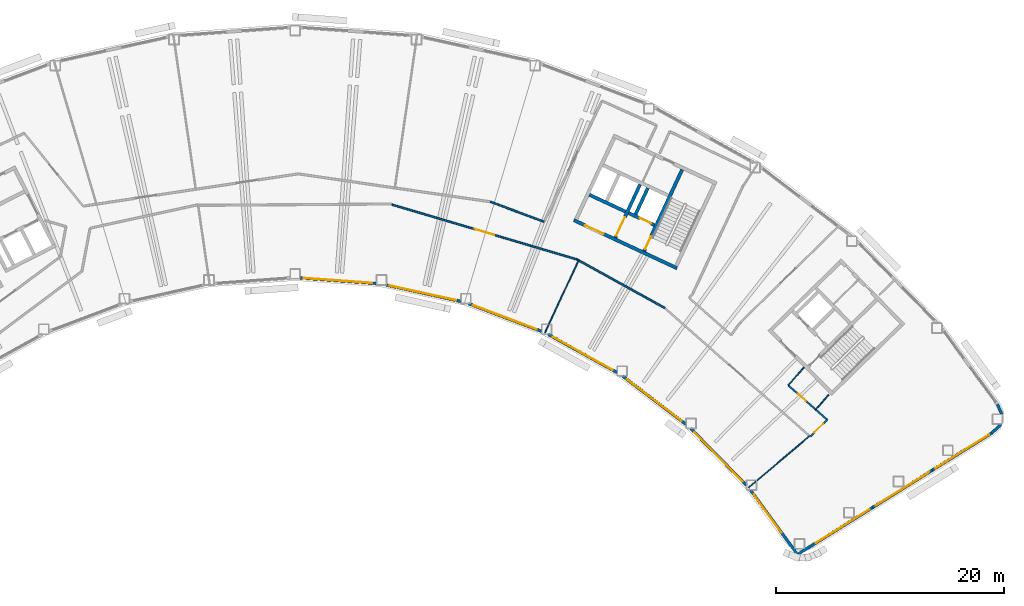
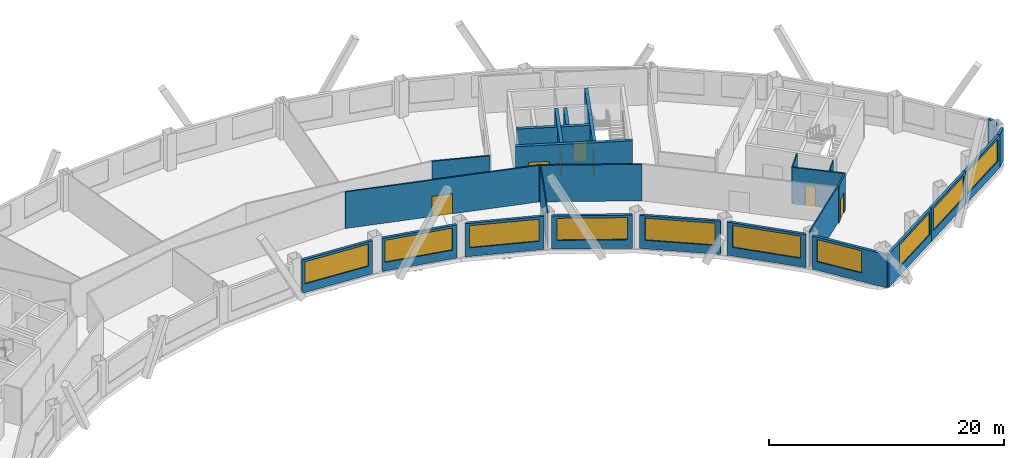
# One storey, part 7 of 12: 27 walls, 10 windows, 7 doors, 17 openings.
"""IFC4 building model written with IfcOpenShell, lengths in metres."""

from ifc_helpers import new_model, si_unit, direction, frame, frame_2d, origin, place, context, subcontext, project, spatial, rectangle, extrude, material, layer, layer_set, type_object, element, fill, save


model = new_model("IFC4")

# Units and contexts
model_context = context("Model", 3, precision=1e-05, world=origin(), true_north=direction((0.0, 1.0)))
body_context = subcontext(model_context, "Body", "Model", "MODEL_VIEW")
ifc_project = project(units=[si_unit("LENGTHUNIT", "METRE"), si_unit("AREAUNIT", "SQUARE_METRE"), si_unit("VOLUMEUNIT", "CUBIC_METRE"), si_unit("PLANEANGLEUNIT", "RADIAN"), si_unit("MASSUNIT", "GRAM", prefix="KILO")], contexts=[model_context])

# Site, building, storey
site_placement = place(None, origin())
site = spatial("IfcSite", under=ifc_project, at=site_placement, CompositionType="ELEMENT")
building_placement = place(site_placement, origin())
building = spatial("IfcBuilding", under=site, at=building_placement, Name="Tuul Gate Civic Tower", CompositionType="ELEMENT")
storey_placement = place(building_placement, frame((0.0, 0.0, 172.10009765625)))
storey = spatial("IfcBuildingStorey", under=building, at=storey_placement, Name="Level 39", CompositionType="ELEMENT", Elevation=172.10009765625)

# Wall, opening, door
ifc_material_1 = material(Name="Concrete C50/60", Category="concrete")
ifc_layer_1 = layer(ifc_material_1, 0.300048828125)
ifc_layer_set_1 = layer_set([ifc_layer_1], Name="Concrete C50/60")
wall_type_1 = type_object("IfcWallType", Name="Core wall C50/60", PredefinedType="SHEAR", material=ifc_layer_set_1)
wall_1_placement = place(storey_placement, frame((34.5283203125, -7.25, 0.0), z_axis=(0.0, 0.0, 1.0), x_axis=(-0.906310338845, 0.422612789327, 0.0)))
wall_1 = element("IfcWall", 1, at=wall_1_placement, inside=storey, type_object=wall_type_1, Name="Core wall", PredefinedType="SHEAR", context=body_context, shape_type="SweptSolid", body=[
    extrude(rectangle(XDim=9.999755859375, YDim=0.300048828125, at=frame_2d((5.0, 0.0))), origin(), (0.0, 0.0, 1.0), 3.7998046875),
])
opening_1_placement = place(wall_1_placement, frame((7.125, 0.0, 0.0)))
opening_1 = element("IfcOpeningElement", 2, at=opening_1_placement, cuts=wall_1, Name="Opening LB-E3-LOBBY-1", PredefinedType="OPENING", context=body_context, shape_type="SweptSolid", body=[
    extrude(rectangle(XDim=1.800048828125, YDim=2.10009765625, at=frame_2d((0.89990234375, 1.050048828125))), frame((0.0, 0.16015625, 0.0), z_axis=(0.0, -1.0, 0.0), x_axis=(1.0, 0.0, 0.0)), (0.0, 0.0, 1.0), 0.320068359375),
])
ifc_material_2 = material(Name="Steel", Category="steel")
door_type_1 = type_object("IfcDoorType", Name="Lobby door", OperationType="DOUBLE_DOOR_SINGLE_SWING", PredefinedType="DOOR", material=ifc_material_2)
door_1_placement = place(opening_1_placement, frame((1.800048828125, 0.0, 0.0), z_axis=(0.0, 0.0, 1.0), x_axis=(-1.0, 0.0, 0.0)))
door_1 = element("IfcDoor", 3, at=door_1_placement, inside=storey, type_object=door_type_1, Name="Lobby door E3-LOBBY", OperationType="DOUBLE_DOOR_SINGLE_SWING", OverallHeight=2.10009765625, OverallWidth=1.800048828125, PredefinedType="DOOR", context=body_context, shape_type="SweptSolid", body=[
    extrude(rectangle(XDim=1.800048828125, YDim=2.10009765625, at=frame_2d((0.900146484375, 1.050048828125))), frame((0.0, 0.02490234375, 0.0), z_axis=(0.0, -1.0, 0.0), x_axis=(1.0, 0.0, 0.0)), (0.0, 0.0, 1.0), 0.050048828125),
])
fill(opening_1, door_1)

wall_2_placement = place(storey_placement, frame((32.545654296875, -3.456787109375, 0.0), z_axis=(0.0, 0.0, 1.0), x_axis=(-0.906300357825, 0.42263419337, 0.0)))
wall_2 = element("IfcWall", 4, at=wall_2_placement, inside=storey, type_object=wall_type_1, Name="Core wall", PredefinedType="SHEAR", context=body_context, shape_type="SweptSolid", body=[
    extrude(rectangle(XDim=2.500244140625, YDim=0.300048828125, at=frame_2d((1.25, 0.0))), origin(), (0.0, 0.0, 1.0), 3.7998046875),
])
opening_2_placement = place(wall_2_placement, frame((0.324951171875, 0.0, 0.0)))
opening_2 = element("IfcOpeningElement", 5, at=opening_2_placement, cuts=wall_2, Name="Opening LD-FF-2", PredefinedType="OPENING", context=body_context, shape_type="SweptSolid", body=[
    extrude(rectangle(XDim=1.10009765625, YDim=2.10009765625, at=frame_2d((0.550048828125, 1.050048828125))), frame((0.0, 0.16015625, 0.0), z_axis=(0.0, -1.0, 0.0), x_axis=(1.0, 0.0, 0.0)), (0.0, 0.0, 1.0), 0.320068359375),
])
ifc_material_3 = material(Name="Stainless steel", Category="steel")
door_type_2 = type_object("IfcDoorType", Name="Landing door", OperationType="DOUBLE_DOOR_SLIDING", PredefinedType="DOOR", material=ifc_material_3)
door_2_placement = place(opening_2_placement, origin())
door_2 = element("IfcDoor", 6, at=door_2_placement, inside=storey, type_object=door_type_2, Name="Fire-fighting lift FF-2 landing door", OperationType="DOUBLE_DOOR_SLIDING", OverallHeight=2.10009765625, OverallWidth=1.10009765625, PredefinedType="DOOR", context=body_context, shape_type="SweptSolid", body=[
    extrude(rectangle(XDim=1.10009765625, YDim=2.10009765625, at=frame_2d((0.550048828125, 1.050048828125))), frame((0.0, 0.02490234375, 0.0), z_axis=(0.0, -1.0, 0.0), x_axis=(1.0, 0.0, 0.0)), (0.0, 0.0, 1.0), 0.050048828125),
])
fill(opening_2, door_2)

# Wall
wall_3_placement = place(storey_placement, frame((30.0078125, -2.2734375, 0.0), z_axis=(0.0, 0.0, 1.0), x_axis=(-0.90630071767, 0.422633421716, 0.0)))
element("IfcWall", 7, at=wall_3_placement, inside=storey, type_object=wall_type_1, Name="Core wall", PredefinedType="SHEAR", context=body_context, shape_type="SweptSolid", body=[
    extrude(rectangle(XDim=3.5, YDim=0.300048828125, at=frame_2d((1.75, 0.0))), origin(), (0.0, 0.0, 1.0), 3.7998046875),
])

# Wall, opening, door
wall_4_placement = place(storey_placement, frame((31.646240234375, -5.740478515625, 0.0), z_axis=(0.0, 0.0, 1.0), x_axis=(0.422582604137, 0.906324413596, 0.0)))
wall_4 = element("IfcWall", 8, at=wall_4_placement, inside=storey, type_object=wall_type_1, Name="Core wall", PredefinedType="SHEAR", context=body_context, shape_type="SweptSolid", body=[
    extrude(rectangle(XDim=7.89990234375, YDim=0.300048828125, at=frame_2d((3.949951171875, 0.0))), origin(), (0.0, 0.0, 1.0), 3.7998046875),
])
opening_3_placement = place(wall_4_placement, frame((0.199951171875, 0.0, 0.0)))
opening_3 = element("IfcOpeningElement", 9, at=opening_3_placement, cuts=wall_4, Name="Opening SD-ST-4", PredefinedType="OPENING", context=body_context, shape_type="SweptSolid", body=[
    extrude(rectangle(XDim=1.199951171875, YDim=2.10009765625, at=frame_2d((0.60009765625, 1.050048828125))), frame((0.0, 0.16015625, 0.0), z_axis=(0.0, -1.0, 0.0), x_axis=(1.0, 0.0, 0.0)), (0.0, 0.0, 1.0), 0.320068359375),
])
ifc_material_4 = material(Name="Steel", Category="steel")
door_type_3 = type_object("IfcDoorType", Name="Stair door", OperationType="NOTDEFINED", PredefinedType="DOOR", material=ifc_material_4)
door_3_placement = place(opening_3_placement, origin())
door_3 = element("IfcDoor", 10, at=door_3_placement, inside=storey, type_object=door_type_3, Name="Stair door ST-4", OperationType="SINGLE_SWING_LEFT", OverallHeight=2.10009765625, OverallWidth=1.199951171875, PredefinedType="DOOR", context=body_context, shape_type="SweptSolid", body=[
    extrude(rectangle(XDim=1.199951171875, YDim=2.10009765625, at=frame_2d((0.60009765625, 1.050048828125))), frame((0.0, 0.02490234375, 0.0), z_axis=(0.0, -1.0, 0.0), x_axis=(1.0, 0.0, 0.0)), (0.0, 0.0, 1.0), 0.050048828125),
])
fill(opening_3, door_3)

# Wall
wall_5_placement = place(storey_placement, frame((30.886962890625, -2.517822265625, 0.0), z_axis=(0.0, 0.0, 1.0), x_axis=(0.422612891016, 0.906310291427, 0.0)))
element("IfcWall", 11, at=wall_5_placement, inside=storey, type_object=wall_type_1, Name="Core wall", PredefinedType="SHEAR", context=body_context, shape_type="SweptSolid", body=[
    extrude(rectangle(XDim=2.550048828125, YDim=0.300048828125, at=frame_2d((1.27490234375, 0.0))), origin(), (0.0, 0.0, 1.0), 3.7998046875),
])

# Wall, opening, door
wall_6_placement = place(storey_placement, frame((29.108642578125, -4.557373046875, 0.0), z_axis=(0.0, 0.0, 1.0), x_axis=(0.422566235356, 0.90633204552, 0.0)))
wall_6 = element("IfcWall", 12, at=wall_6_placement, inside=storey, type_object=wall_type_1, Name="Core wall", PredefinedType="SHEAR", context=body_context, shape_type="SweptSolid", body=[
    extrude(rectangle(XDim=5.150146484375, YDim=0.300048828125, at=frame_2d((2.5751953125, 0.0))), origin(), (0.0, 0.0, 1.0), 3.7998046875),
])
opening_4_placement = place(wall_6_placement, frame((0.175048828125, 0.0, 0.0)))
opening_4 = element("IfcOpeningElement", 13, at=opening_4_placement, cuts=wall_6, Name="Opening LB-E3-FLOBBY-1", PredefinedType="OPENING", context=body_context, shape_type="SweptSolid", body=[
    extrude(rectangle(XDim=1.800048828125, YDim=2.10009765625, at=frame_2d((0.89990234375, 1.050048828125))), frame((0.0, 0.16015625, 0.0), z_axis=(0.0, -1.0, 0.0), x_axis=(1.0, 0.0, 0.0)), (0.0, 0.0, 1.0), 0.320068359375),
])
door_4_placement = place(opening_4_placement, frame((1.800048828125, 0.0, 0.0), z_axis=(0.0, 0.0, 1.0), x_axis=(-1.0, 0.0, 0.0)))
door_4 = element("IfcDoor", 14, at=door_4_placement, inside=storey, type_object=door_type_1, Name="Lobby door E3-FLOBBY", OperationType="DOUBLE_DOOR_SINGLE_SWING", OverallHeight=2.10009765625, OverallWidth=1.800048828125, PredefinedType="DOOR", context=body_context, shape_type="SweptSolid", body=[
    extrude(rectangle(XDim=1.800048828125, YDim=2.10009765625, at=frame_2d((0.900146484375, 1.050048828125))), frame((0.0, 0.02490234375, 0.0), z_axis=(0.0, -1.0, 0.0), x_axis=(1.0, 0.0, 0.0)), (0.0, 0.0, 1.0), 0.050048828125),
])
fill(opening_4, door_4)

ifc_material_5 = material(Name="Gypsum board partition")
ifc_layer_2 = layer(ifc_material_5, 0.14990234375)
ifc_layer_set_2 = layer_set([ifc_layer_2], Name="Gypsum board partition")
wall_type_2 = type_object("IfcWallType", Name="Corridor wall P150", PredefinedType="PARTITIONING", material=ifc_layer_set_2)
wall_7_placement = place(storey_placement, frame((44.294677734375, -17.5341796875, 0.0), z_axis=(0.0, 0.0, 1.0), x_axis=(0.749764693368, -0.661704544777, 0.0)))
wall_7 = element("IfcWall", 15, at=wall_7_placement, inside=storey, type_object=wall_type_2, Name="p002", PredefinedType="PARTITIONING", context=body_context, shape_type="SweptSolid", body=[
    extrude(rectangle(XDim=4.577392578125, YDim=0.14990234375, at=frame_2d((2.28857421875, 0.0))), origin(), (0.0, 0.0, 1.0), 3.7998046875),
])
opening_5_placement = place(wall_7_placement, frame((1.159912109375, 0.0, 0.0)))
opening_5 = element("IfcOpeningElement", 16, at=opening_5_placement, cuts=wall_7, Name="Opening N-D01", PredefinedType="OPENING", context=body_context, shape_type="SweptSolid", body=[
    extrude(rectangle(XDim=0.89990234375, YDim=2.10009765625, at=frame_2d((0.449951171875, 1.050048828125))), frame((0.0, 0.0849609375, 0.0), z_axis=(0.0, -1.0, 0.0), x_axis=(1.0, 0.0, 0.0)), (0.0, 0.0, 1.0), 0.169921875),
])
ifc_material_6 = material(Name="Timber door leaf", Category="wood")
door_type_4 = type_object("IfcDoorType", Name="Door D09", OperationType="NOTDEFINED", PredefinedType="DOOR", material=ifc_material_6)
door_5_placement = place(opening_5_placement, origin())
door_5 = element("IfcDoor", 17, at=door_5_placement, inside=storey, type_object=door_type_4, Name="Door N-D01", OperationType="SINGLE_SWING_RIGHT", OverallHeight=2.10009765625, OverallWidth=0.89990234375, PredefinedType="DOOR", context=body_context, shape_type="SweptSolid", body=[
    extrude(rectangle(XDim=0.89990234375, YDim=2.10009765625, at=frame_2d((0.449951171875, 1.050048828125))), frame((0.0, 0.02490234375, 0.0), z_axis=(0.0, -1.0, 0.0), x_axis=(1.0, 0.0, 0.0)), (0.0, 0.0, 1.0), 0.050048828125),
])
fill(opening_5, door_5)

# Walls
wall_8_placement = place(storey_placement, frame((18.13916015625, -1.413818359375, 0.0), z_axis=(0.0, 0.0, 1.0), x_axis=(0.937349016242, -0.348391764758, 0.0)))
element("IfcWall", 18, at=wall_8_placement, inside=storey, type_object=wall_type_2, Name="p015", PredefinedType="PARTITIONING", context=body_context, shape_type="SweptSolid", body=[
    extrude(rectangle(XDim=5.017578125, YDim=0.14990234375, at=frame_2d((2.5087890625, 0.0))), origin(), (0.0, 0.0, 1.0), 3.7998046875),
])
wall_9_placement = place(storey_placement, frame((25.76953125, -6.490234375, 0.0), z_axis=(0.0, 0.0, 1.0), x_axis=(0.874950264621, -0.484212798715, 0.0)))
element("IfcWall", 19, at=wall_9_placement, inside=storey, type_object=wall_type_2, Name="p039", PredefinedType="PARTITIONING", context=body_context, shape_type="SweptSolid", body=[
    extrude(rectangle(XDim=8.773193359375, YDim=0.14990234375, at=frame_2d((4.38671875, 0.0))), origin(), (0.0, 0.0, 1.0), 3.7998046875),
])

# Wall, opening, door
wall_10_placement = place(storey_placement, frame((9.481689453125, -1.662841796875, 0.0), z_axis=(0.0, 0.0, 1.0), x_axis=(0.958772302271, -0.284175425393, 0.0)))
wall_10 = element("IfcWall", 20, at=wall_10_placement, inside=storey, type_object=wall_type_2, Name="p042", PredefinedType="PARTITIONING", context=body_context, shape_type="SweptSolid", body=[
    extrude(rectangle(XDim=16.98828125, YDim=0.14990234375, at=frame_2d((8.494140625, 0.0))), origin(), (0.0, 0.0, 1.0), 3.7998046875),
])
opening_6_placement = place(wall_10_placement, frame((7.593994140625, 0.0, 0.0)))
opening_6 = element("IfcOpeningElement", 21, at=opening_6_placement, cuts=wall_10, Name="Opening N-D09", PredefinedType="OPENING", context=body_context, shape_type="SweptSolid", body=[
    extrude(rectangle(XDim=1.800048828125, YDim=2.10009765625, at=frame_2d((0.89990234375, 1.050048828125))), frame((0.0, 0.0849609375, 0.0), z_axis=(0.0, -1.0, 0.0), x_axis=(1.0, 0.0, 0.0)), (0.0, 0.0, 1.0), 0.169921875),
])
ifc_material_7 = material(Name="Timber door leaf, double", Category="wood")
door_type_5 = type_object("IfcDoorType", Name="Door D18", OperationType="DOUBLE_DOOR_SINGLE_SWING", PredefinedType="DOOR", material=ifc_material_7)
door_6_placement = place(opening_6_placement, frame((1.800048828125, 0.0, 0.0), z_axis=(0.0, 0.0, 1.0), x_axis=(-1.0, 0.0, 0.0)))
door_6 = element("IfcDoor", 22, at=door_6_placement, inside=storey, type_object=door_type_5, Name="Door N-D09", OperationType="DOUBLE_DOOR_SINGLE_SWING", OverallHeight=2.10009765625, OverallWidth=1.800048828125, PredefinedType="DOOR", context=body_context, shape_type="SweptSolid", body=[
    extrude(rectangle(XDim=1.800048828125, YDim=2.10009765625, at=frame_2d((0.900146484375, 1.050048828125))), frame((0.0, 0.02490234375, 0.0), z_axis=(0.0, -1.0, 0.0), x_axis=(1.0, 0.0, 0.0)), (0.0, 0.0, 1.0), 0.050048828125),
])
fill(opening_6, door_6)

wall_11_placement = place(storey_placement, frame((46.23193359375, -22.038330078125, 0.0), z_axis=(0.0, 0.0, 1.0), x_axis=(0.711683754501, 0.702499988313, 0.0)))
wall_11 = element("IfcWall", 23, at=wall_11_placement, inside=storey, type_object=wall_type_2, Name="p052", PredefinedType="PARTITIONING", context=body_context, shape_type="SweptSolid", body=[
    extrude(rectangle(XDim=2.10009765625, YDim=0.14990234375, at=frame_2d((1.050048828125, 0.0))), origin(), (0.0, 0.0, 1.0), 3.7998046875),
])
opening_7_placement = place(wall_11_placement, frame((0.5, 0.0, 0.0)))
opening_7 = element("IfcOpeningElement", 24, at=opening_7_placement, cuts=wall_11, Name="Opening N-D12", PredefinedType="OPENING", context=body_context, shape_type="SweptSolid", body=[
    extrude(rectangle(XDim=1.10009765625, YDim=2.10009765625, at=frame_2d((0.550048828125, 1.050048828125))), frame((0.0, 0.0849609375, 0.0), z_axis=(0.0, -1.0, 0.0), x_axis=(1.0, 0.0, 0.0)), (0.0, 0.0, 1.0), 0.169921875),
])
ifc_material_8 = material(Name="Timber door leaf", Category="wood")
door_type_6 = type_object("IfcDoorType", Name="Door D11", OperationType="NOTDEFINED", PredefinedType="DOOR", material=ifc_material_8)
door_7_placement = place(opening_7_placement, frame((1.10009765625, 0.0, 0.0), z_axis=(0.0, 0.0, 1.0), x_axis=(-1.0, 0.0, 0.0)))
door_7 = element("IfcDoor", 25, at=door_7_placement, inside=storey, type_object=door_type_6, Name="Door N-D12", OperationType="SINGLE_SWING_LEFT", OverallHeight=2.10009765625, OverallWidth=1.10009765625, PredefinedType="DOOR", context=body_context, shape_type="SweptSolid", body=[
    extrude(rectangle(XDim=1.10009765625, YDim=2.10009765625, at=frame_2d((0.550048828125, 1.050048828125))), frame((0.0, 0.02490234375, 0.0), z_axis=(0.0, -1.0, 0.0), x_axis=(1.0, 0.0, 0.0)), (0.0, 0.0, 1.0), 0.050048828125),
])
fill(opening_7, door_7)

# Walls
ifc_material_9 = material(Name="Precast concrete C40/50", Category="concrete")
ifc_layer_3 = layer(ifc_material_9, 0.25)
ifc_layer_set_3 = layer_set([ifc_layer_3], Name="Precast concrete C40/50")
wall_type_3 = type_object("IfcWallType", Name="External wall", PredefinedType="STANDARD", material=ifc_layer_set_3)
wall_12_placement = place(storey_placement, frame((62.180419921875, -21.725830078125, 0.0), z_axis=(0.0, 0.0, 1.0), x_axis=(0.722107994372, 0.691780344087, 0.0)))
element("IfcWall", 26, at=wall_12_placement, inside=storey, type_object=wall_type_3, Name="External wall", PredefinedType="STANDARD", context=body_context, shape_type="SweptSolid", body=[
    extrude(rectangle(XDim=1.102783203125, YDim=0.25, at=frame_2d((0.55126953125, 0.0))), origin(), (0.0, 0.0, 1.0), 3.449951171875),
])
wall_13_placement = place(storey_placement, frame((63.0546875, -20.06298828125, 0.0), z_axis=(0.0, 0.0, 1.0), x_axis=(-0.413528765966, 0.910491054167, 0.0)))
element("IfcWall", 27, at=wall_13_placement, inside=storey, type_object=wall_type_3, Name="External wall", PredefinedType="STANDARD", context=body_context, shape_type="SweptSolid", body=[
    extrude(rectangle(XDim=0.939208984375, YDim=0.25, at=frame_2d((0.4697265625, 0.0))), origin(), (0.0, 0.0, 1.0), 3.449951171875),
])

# Wall, opening, window
wall_14_placement = place(storey_placement, frame((1.43994140625, -8.098388671875, 0.0), z_axis=(0.0, 0.0, 1.0), x_axis=(0.99738574908, -0.072261106633, 0.0)))
wall_14 = element("IfcWall", 28, at=wall_14_placement, inside=storey, type_object=wall_type_3, Name="External wall", PredefinedType="STANDARD", context=body_context, shape_type="SweptSolid", body=[
    extrude(rectangle(XDim=6.689697265625, YDim=0.25, at=frame_2d((3.3447265625, 0.0))), origin(), (0.0, 0.0, 1.0), 3.449951171875),
])
opening_8_placement = place(wall_14_placement, frame((0.3212890625, 0.0, 0.89990234375)))
opening_8 = element("IfcOpeningElement", 29, at=opening_8_placement, cuts=wall_14, Name="Opening W26", PredefinedType="OPENING", context=body_context, shape_type="SweptSolid", body=[
    extrude(rectangle(XDim=6.0, YDim=2.300048828125, at=frame_2d((3.0, 1.14990234375))), frame((0.0, 0.135009765625, 0.0), z_axis=(0.0, -1.0, 0.0), x_axis=(1.0, 0.0, 0.0)), (0.0, 0.0, 1.0), 0.27001953125),
])
ifc_material_10 = material(Name="Glass", Category="glass")
window_type_1 = type_object("IfcWindowType", Name="Window W26 6000 x 2300", PartitioningType="SINGLE_PANEL", PredefinedType="WINDOW", material=ifc_material_10)
window_1_placement = place(opening_8_placement, origin())
window_1 = element("IfcWindow", 30, at=window_1_placement, inside=storey, type_object=window_type_1, Name="Window", OverallHeight=2.300048828125, OverallWidth=6.0, PartitioningType="SINGLE_PANEL", PredefinedType="WINDOW", context=body_context, shape_type="SweptSolid", body=[
    extrude(rectangle(XDim=6.0, YDim=2.300048828125, at=frame_2d((3.0, 1.14990234375))), frame((0.0, 0.030029296875, 0.0), z_axis=(0.0, -1.0, 0.0), x_axis=(1.0, 0.0, 0.0)), (0.0, 0.0, 1.0), 0.06005859375),
])
fill(opening_8, window_1)

wall_15_placement = place(storey_placement, frame((9.011962890625, -8.720458984375, 0.0), z_axis=(0.0, 0.0, 1.0), x_axis=(0.976558520258, -0.21525207667, 0.0)))
wall_15 = element("IfcWall", 31, at=wall_15_placement, inside=storey, type_object=wall_type_3, Name="External wall", PredefinedType="STANDARD", context=body_context, shape_type="SweptSolid", body=[
    extrude(rectangle(XDim=6.670166015625, YDim=0.25, at=frame_2d((3.3349609375, 0.0))), origin(), (0.0, 0.0, 1.0), 3.449951171875),
])
opening_9_placement = place(wall_15_placement, frame((0.263427734375, 0.0, 0.89990234375)))
opening_9 = element("IfcOpeningElement", 32, at=opening_9_placement, cuts=wall_15, Name="Opening W26", PredefinedType="OPENING", context=body_context, shape_type="SweptSolid", body=[
    extrude(rectangle(XDim=6.0, YDim=2.300048828125, at=frame_2d((3.0, 1.14990234375))), frame((0.0, 0.135009765625, 0.0), z_axis=(0.0, -1.0, 0.0), x_axis=(1.0, 0.0, 0.0)), (0.0, 0.0, 1.0), 0.27001953125),
])
window_2_placement = place(opening_9_placement, origin())
window_2 = element("IfcWindow", 33, at=window_2_placement, inside=storey, type_object=window_type_1, Name="Window", OverallHeight=2.300048828125, OverallWidth=6.0, PartitioningType="SINGLE_PANEL", PredefinedType="WINDOW", context=body_context, shape_type="SweptSolid", body=[
    extrude(rectangle(XDim=6.0, YDim=2.300048828125, at=frame_2d((3.0, 1.14990234375))), frame((0.0, 0.030029296875, 0.0), z_axis=(0.0, -1.0, 0.0), x_axis=(1.0, 0.0, 0.0)), (0.0, 0.0, 1.0), 0.06005859375),
])
fill(opening_9, window_2)

wall_16_placement = place(storey_placement, frame((16.248046875, -10.373046875, 0.0), z_axis=(0.0, 0.0, 1.0), x_axis=(0.935360534404, -0.353695731779, 0.0)))
wall_16 = element("IfcWall", 34, at=wall_16_placement, inside=storey, type_object=wall_type_3, Name="External wall", PredefinedType="STANDARD", context=body_context, shape_type="SweptSolid", body=[
    extrude(rectangle(XDim=6.81982421875, YDim=0.25, at=frame_2d((3.409912109375, 0.0))), origin(), (0.0, 0.0, 1.0), 3.449951171875),
])
opening_10_placement = place(wall_16_placement, frame((0.3818359375, 0.0, 0.89990234375)))
opening_10 = element("IfcOpeningElement", 35, at=opening_10_placement, cuts=wall_16, Name="Opening W26", PredefinedType="OPENING", context=body_context, shape_type="SweptSolid", body=[
    extrude(rectangle(XDim=6.0, YDim=2.300048828125, at=frame_2d((3.0, 1.14990234375))), frame((0.0, 0.135009765625, 0.0), z_axis=(0.0, -1.0, 0.0), x_axis=(1.0, 0.0, 0.0)), (0.0, 0.0, 1.0), 0.27001953125),
])
window_3_placement = place(opening_10_placement, origin())
window_3 = element("IfcWindow", 36, at=window_3_placement, inside=storey, type_object=window_type_1, Name="Window", OverallHeight=2.300048828125, OverallWidth=6.0, PartitioningType="SINGLE_PANEL", PredefinedType="WINDOW", context=body_context, shape_type="SweptSolid", body=[
    extrude(rectangle(XDim=6.0, YDim=2.300048828125, at=frame_2d((3.0, 1.14990234375))), frame((0.0, 0.030029296875, 0.0), z_axis=(0.0, -1.0, 0.0), x_axis=(1.0, 0.0, 0.0)), (0.0, 0.0, 1.0), 0.06005859375),
])
fill(opening_10, window_3)

wall_17_placement = place(storey_placement, frame((23.21875, -13.05810546875, 0.0), z_axis=(0.0, 0.0, 1.0), x_axis=(0.874638200543, -0.484776255763, 0.0)))
wall_17 = element("IfcWall", 37, at=wall_17_placement, inside=storey, type_object=wall_type_3, Name="External wall", PredefinedType="STANDARD", context=body_context, shape_type="SweptSolid", body=[
    extrude(rectangle(XDim=6.9140625, YDim=0.25, at=frame_2d((3.45703125, 0.0))), origin(), (0.0, 0.0, 1.0), 3.449951171875),
])
opening_11_placement = place(wall_17_placement, frame((0.453369140625, 0.0, 0.89990234375)))
opening_11 = element("IfcOpeningElement", 38, at=opening_11_placement, cuts=wall_17, Name="Opening W26", PredefinedType="OPENING", context=body_context, shape_type="SweptSolid", body=[
    extrude(rectangle(XDim=6.0, YDim=2.300048828125, at=frame_2d((3.0, 1.14990234375))), frame((0.0, 0.135009765625, 0.0), z_axis=(0.0, -1.0, 0.0), x_axis=(1.0, 0.0, 0.0)), (0.0, 0.0, 1.0), 0.27001953125),
])
window_4_placement = place(opening_11_placement, origin())
window_4 = element("IfcWindow", 39, at=window_4_placement, inside=storey, type_object=window_type_1, Name="Window", OverallHeight=2.300048828125, OverallWidth=6.0, PartitioningType="SINGLE_PANEL", PredefinedType="WINDOW", context=body_context, shape_type="SweptSolid", body=[
    extrude(rectangle(XDim=6.0, YDim=2.300048828125, at=frame_2d((3.0, 1.14990234375))), frame((0.0, 0.030029296875, 0.0), z_axis=(0.0, -1.0, 0.0), x_axis=(1.0, 0.0, 0.0)), (0.0, 0.0, 1.0), 0.06005859375),
])
fill(opening_11, window_4)

wall_18_placement = place(storey_placement, frame((29.770751953125, -16.738037109375, 0.0), z_axis=(0.0, 0.0, 1.0), x_axis=(0.795583108554, -0.605844466331, 0.0)))
wall_18 = element("IfcWall", 40, at=wall_18_placement, inside=storey, type_object=wall_type_3, Name="External wall", PredefinedType="STANDARD", context=body_context, shape_type="SweptSolid", body=[
    extrude(rectangle(XDim=6.95849609375, YDim=0.25, at=frame_2d((3.479248046875, 0.0))), origin(), (0.0, 0.0, 1.0), 3.449951171875),
])
opening_12_placement = place(wall_18_placement, frame((0.480224609375, 0.0, 0.89990234375)))
opening_12 = element("IfcOpeningElement", 41, at=opening_12_placement, cuts=wall_18, Name="Opening W26", PredefinedType="OPENING", context=body_context, shape_type="SweptSolid", body=[
    extrude(rectangle(XDim=6.0, YDim=2.300048828125, at=frame_2d((3.0, 1.14990234375))), frame((0.0, 0.135009765625, 0.0), z_axis=(0.0, -1.0, 0.0), x_axis=(1.0, 0.0, 0.0)), (0.0, 0.0, 1.0), 0.27001953125),
])
window_5_placement = place(opening_12_placement, origin())
window_5 = element("IfcWindow", 42, at=window_5_placement, inside=storey, type_object=window_type_1, Name="Window", OverallHeight=2.300048828125, OverallWidth=6.0, PartitioningType="SINGLE_PANEL", PredefinedType="WINDOW", context=body_context, shape_type="SweptSolid", body=[
    extrude(rectangle(XDim=6.0, YDim=2.300048828125, at=frame_2d((3.0, 1.14990234375))), frame((0.0, 0.030029296875, 0.0), z_axis=(0.0, -1.0, 0.0), x_axis=(1.0, 0.0, 0.0)), (0.0, 0.0, 1.0), 0.06005859375),
])
fill(opening_12, window_5)

wall_19_placement = place(storey_placement, frame((35.741943359375, -21.3369140625, 0.0), z_axis=(0.0, 0.0, 1.0), x_axis=(0.700101181113, -0.71404365147, 0.0)))
wall_19 = element("IfcWall", 43, at=wall_19_placement, inside=storey, type_object=wall_type_3, Name="External wall", PredefinedType="STANDARD", context=body_context, shape_type="SweptSolid", body=[
    extrude(rectangle(XDim=6.96923828125, YDim=0.25, at=frame_2d((3.484619140625, 0.0))), origin(), (0.0, 0.0, 1.0), 3.449951171875),
])
opening_13_placement = place(wall_19_placement, frame((0.485107421875, 0.0, 0.89990234375)))
opening_13 = element("IfcOpeningElement", 44, at=opening_13_placement, cuts=wall_19, Name="Opening W26", PredefinedType="OPENING", context=body_context, shape_type="SweptSolid", body=[
    extrude(rectangle(XDim=6.0, YDim=2.300048828125, at=frame_2d((3.0, 1.14990234375))), frame((0.0, 0.135009765625, 0.0), z_axis=(0.0, -1.0, 0.0), x_axis=(1.0, 0.0, 0.0)), (0.0, 0.0, 1.0), 0.27001953125),
])
window_6_placement = place(opening_13_placement, origin())
window_6 = element("IfcWindow", 45, at=window_6_placement, inside=storey, type_object=window_type_1, Name="Window", OverallHeight=2.300048828125, OverallWidth=6.0, PartitioningType="SINGLE_PANEL", PredefinedType="WINDOW", context=body_context, shape_type="SweptSolid", body=[
    extrude(rectangle(XDim=6.0, YDim=2.300048828125, at=frame_2d((3.0, 1.14990234375))), frame((0.0, 0.030029296875, 0.0), z_axis=(0.0, -1.0, 0.0), x_axis=(1.0, 0.0, 0.0)), (0.0, 0.0, 1.0), 0.06005859375),
])
fill(opening_13, window_6)

wall_20_placement = place(storey_placement, frame((40.997802734375, -26.759033203125, 0.0), z_axis=(0.0, 0.0, 1.0), x_axis=(0.589748783254, -0.807586758591, 0.0)))
wall_20 = element("IfcWall", 46, at=wall_20_placement, inside=storey, type_object=wall_type_3, Name="External wall", PredefinedType="STANDARD", context=body_context, shape_type="SweptSolid", body=[
    extrude(rectangle(XDim=6.97216796875, YDim=0.25, at=frame_2d((3.486083984375, 0.0))), origin(), (0.0, 0.0, 1.0), 3.449951171875),
])
opening_14_placement = place(wall_20_placement, frame((0.46435546875, 0.0, 0.89990234375)))
opening_14 = element("IfcOpeningElement", 47, at=opening_14_placement, cuts=wall_20, Name="Opening W25", PredefinedType="OPENING", context=body_context, shape_type="SweptSolid", body=[
    extrude(rectangle(XDim=4.14990234375, YDim=2.300048828125, at=frame_2d((2.074951171875, 1.14990234375))), frame((0.0, 0.135009765625, 0.0), z_axis=(0.0, -1.0, 0.0), x_axis=(1.0, 0.0, 0.0)), (0.0, 0.0, 1.0), 0.27001953125),
])
ifc_material_11 = material(Name="Glass", Category="glass")
window_type_2 = type_object("IfcWindowType", Name="Window W25 4150 x 2300", PartitioningType="SINGLE_PANEL", PredefinedType="WINDOW", material=ifc_material_11)
window_7_placement = place(opening_14_placement, origin())
window_7 = element("IfcWindow", 48, at=window_7_placement, inside=storey, type_object=window_type_2, Name="Window", OverallHeight=2.300048828125, OverallWidth=4.14990234375, PartitioningType="SINGLE_PANEL", PredefinedType="WINDOW", context=body_context, shape_type="SweptSolid", body=[
    extrude(rectangle(XDim=4.14990234375, YDim=2.300048828125, at=frame_2d((2.074951171875, 1.14990234375))), frame((0.0, 0.030029296875, 0.0), z_axis=(0.0, -1.0, 0.0), x_axis=(1.0, 0.0, 0.0)), (0.0, 0.0, 1.0), 0.06005859375),
])
fill(opening_14, window_7)

wall_21_placement = place(storey_placement, frame((45.109619140625, -32.3896484375, 0.0), z_axis=(0.0, 0.0, 1.0), x_axis=(0.848047613046, 0.52992003737, 0.0)))
wall_21 = element("IfcWall", 49, at=wall_21_placement, inside=storey, type_object=wall_type_3, Name="External wall", PredefinedType="STANDARD", context=body_context, shape_type="SweptSolid", body=[
    extrude(rectangle(XDim=7.787841796875, YDim=0.25, at=frame_2d((3.89404296875, 0.0))), origin(), (0.0, 0.0, 1.0), 3.449951171875),
])
opening_15_placement = place(wall_21_placement, frame((1.92138671875, 0.0, 0.89990234375)))
opening_15 = element("IfcOpeningElement", 50, at=opening_15_placement, cuts=wall_21, Name="Opening W24", PredefinedType="OPENING", context=body_context, shape_type="SweptSolid", body=[
    extrude(rectangle(XDim=5.550048828125, YDim=2.300048828125, at=frame_2d((2.77490234375, 1.14990234375))), frame((0.0, 0.135009765625, 0.0), z_axis=(0.0, -1.0, 0.0), x_axis=(1.0, 0.0, 0.0)), (0.0, 0.0, 1.0), 0.27001953125),
])
ifc_material_12 = material(Name="Glass", Category="glass")
window_type_3 = type_object("IfcWindowType", Name="Window W24 5550 x 2300", PartitioningType="SINGLE_PANEL", PredefinedType="WINDOW", material=ifc_material_12)
window_8_placement = place(opening_15_placement, origin())
window_8 = element("IfcWindow", 51, at=window_8_placement, inside=storey, type_object=window_type_3, Name="Window", OverallHeight=2.300048828125, OverallWidth=5.550048828125, PartitioningType="SINGLE_PANEL", PredefinedType="WINDOW", context=body_context, shape_type="SweptSolid", body=[
    extrude(rectangle(XDim=5.550048828125, YDim=2.300048828125, at=frame_2d((2.77490234375, 1.14990234375))), frame((0.0, 0.030029296875, 0.0), z_axis=(0.0, -1.0, 0.0), x_axis=(1.0, 0.0, 0.0)), (0.0, 0.0, 1.0), 0.06005859375),
])
fill(opening_15, window_8)

wall_22_placement = place(storey_placement, frame((51.714111328125, -28.2626953125, 0.0), z_axis=(0.0, 0.0, 1.0), x_axis=(0.848053758074, 0.529910203164, 0.0)))
wall_22 = element("IfcWall", 52, at=wall_22_placement, inside=storey, type_object=wall_type_3, Name="External wall", PredefinedType="STANDARD", context=body_context, shape_type="SweptSolid", body=[
    extrude(rectangle(XDim=6.182861328125, YDim=0.25, at=frame_2d((3.09130859375, 0.0))), origin(), (0.0, 0.0, 1.0), 3.449951171875),
])
opening_16_placement = place(wall_22_placement, frame((0.31640625, 0.0, 0.89990234375)))
opening_16 = element("IfcOpeningElement", 53, at=opening_16_placement, cuts=wall_22, Name="Opening W24", PredefinedType="OPENING", context=body_context, shape_type="SweptSolid", body=[
    extrude(rectangle(XDim=5.550048828125, YDim=2.300048828125, at=frame_2d((2.77490234375, 1.14990234375))), frame((0.0, 0.135009765625, 0.0), z_axis=(0.0, -1.0, 0.0), x_axis=(1.0, 0.0, 0.0)), (0.0, 0.0, 1.0), 0.27001953125),
])
window_9_placement = place(opening_16_placement, origin())
window_9 = element("IfcWindow", 54, at=window_9_placement, inside=storey, type_object=window_type_3, Name="Window", OverallHeight=2.300048828125, OverallWidth=5.550048828125, PartitioningType="SINGLE_PANEL", PredefinedType="WINDOW", context=body_context, shape_type="SweptSolid", body=[
    extrude(rectangle(XDim=5.550048828125, YDim=2.300048828125, at=frame_2d((2.77490234375, 1.14990234375))), frame((0.0, 0.030029296875, 0.0), z_axis=(0.0, -1.0, 0.0), x_axis=(1.0, 0.0, 0.0)), (0.0, 0.0, 1.0), 0.06005859375),
])
fill(opening_16, window_9)

wall_23_placement = place(storey_placement, frame((56.95751953125, -24.986328125, 0.0), z_axis=(0.0, 0.0, 1.0), x_axis=(0.848042669488, 0.529927948619, 0.0)))
wall_23 = element("IfcWall", 55, at=wall_23_placement, inside=storey, type_object=wall_type_3, Name="External wall", PredefinedType="STANDARD", context=body_context, shape_type="SweptSolid", body=[
    extrude(rectangle(XDim=6.1826171875, YDim=0.25, at=frame_2d((3.09130859375, 0.0))), origin(), (0.0, 0.0, 1.0), 3.449951171875),
])
opening_17_placement = place(wall_23_placement, frame((0.31640625, 0.0, 0.89990234375)))
opening_17 = element("IfcOpeningElement", 56, at=opening_17_placement, cuts=wall_23, Name="Opening W24", PredefinedType="OPENING", context=body_context, shape_type="SweptSolid", body=[
    extrude(rectangle(XDim=5.550048828125, YDim=2.300048828125, at=frame_2d((2.77490234375, 1.14990234375))), frame((0.0, 0.135009765625, 0.0), z_axis=(0.0, -1.0, 0.0), x_axis=(1.0, 0.0, 0.0)), (0.0, 0.0, 1.0), 0.27001953125),
])
window_10_placement = place(opening_17_placement, origin())
window_10 = element("IfcWindow", 57, at=window_10_placement, inside=storey, type_object=window_type_3, Name="Window", OverallHeight=2.300048828125, OverallWidth=5.550048828125, PartitioningType="SINGLE_PANEL", PredefinedType="WINDOW", context=body_context, shape_type="SweptSolid", body=[
    extrude(rectangle(XDim=5.550048828125, YDim=2.300048828125, at=frame_2d((2.77490234375, 1.14990234375))), frame((0.0, 0.030029296875, 0.0), z_axis=(0.0, -1.0, 0.0), x_axis=(1.0, 0.0, 0.0)), (0.0, 0.0, 1.0), 0.06005859375),
])
fill(opening_17, window_10)

# Walls
ifc_material_13 = material(Name="Gypsum board partition")
ifc_layer_4 = layer(ifc_material_13, 0.10009765625)
ifc_layer_set_4 = layer_set([ifc_layer_4], Name="Gypsum board partition")
wall_type_4 = type_object("IfcWallType", Name="Partition P100", PredefinedType="PARTITIONING", material=ifc_layer_set_4)
wall_24_placement = place(storey_placement, frame((46.708740234375, -19.664794921875, 0.0), z_axis=(0.0, 0.0, 1.0), x_axis=(0.661748139876, 0.749726216276, 0.0)))
element("IfcWall", 58, at=wall_24_placement, inside=storey, type_object=wall_type_4, Name="p003", PredefinedType="PARTITIONING", context=body_context, shape_type="SweptSolid", body=[
    extrude(rectangle(XDim=1.723388671875, YDim=0.10009765625, at=frame_2d((0.86181640625, 0.0))), origin(), (0.0, 0.0, 1.0), 3.7998046875),
])
wall_25_placement = place(storey_placement, frame((22.9375, -12.90771484375, 0.0), z_axis=(0.0, 0.0, 1.0), x_axis=(0.420370728325, 0.907352440217, 0.0)))
element("IfcWall", 59, at=wall_25_placement, inside=storey, type_object=wall_type_4, Name="p038", PredefinedType="PARTITIONING", context=body_context, shape_type="SweptSolid", body=[
    extrude(rectangle(XDim=7.004150390625, YDim=0.10009765625, at=frame_2d((3.501953125, 0.0))), origin(), (0.0, 0.0, 1.0), 3.7998046875),
])
wall_26_placement = place(storey_placement, frame((40.81884765625, -26.5224609375, 0.0), z_axis=(0.0, 0.0, 1.0), x_axis=(0.762833064654, 0.646595480552, 0.0)))
element("IfcWall", 60, at=wall_26_placement, inside=storey, type_object=wall_type_4, Name="p041", PredefinedType="PARTITIONING", context=body_context, shape_type="SweptSolid", body=[
    extrude(rectangle(XDim=7.017333984375, YDim=0.10009765625, at=frame_2d((3.5087890625, 0.0))), origin(), (0.0, 0.0, 1.0), 3.7998046875),
])
wall_27_placement = place(storey_placement, frame((44.294677734375, -17.5341796875, 0.0), z_axis=(0.0, 0.0, 1.0), x_axis=(0.661698288491, 0.749770214805, 0.0)))
element("IfcWall", 61, at=wall_27_placement, inside=storey, type_object=wall_type_4, Name="p053", PredefinedType="PARTITIONING", context=body_context, shape_type="SweptSolid", body=[
    extrude(rectangle(XDim=2.106689453125, YDim=0.10009765625, at=frame_2d((1.05322265625, 0.0))), origin(), (0.0, 0.0, 1.0), 3.7998046875),
])

save(model, "model.ifc")
